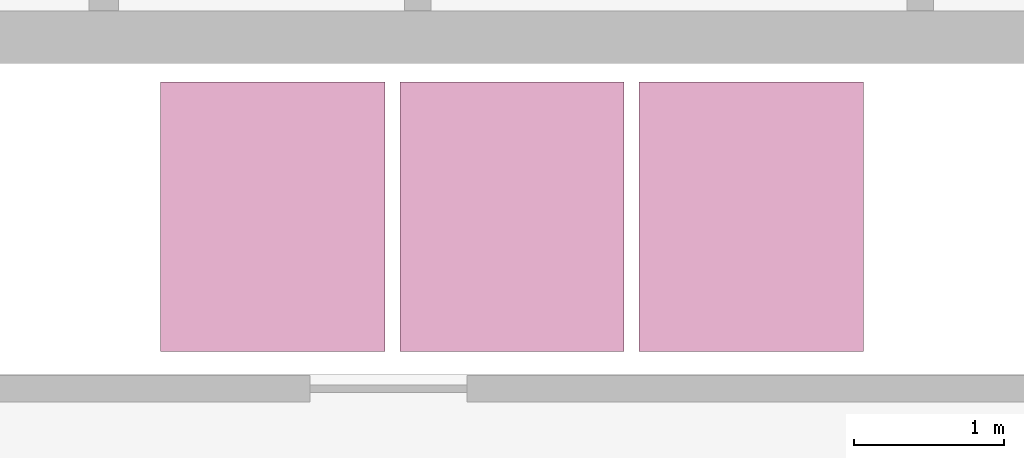
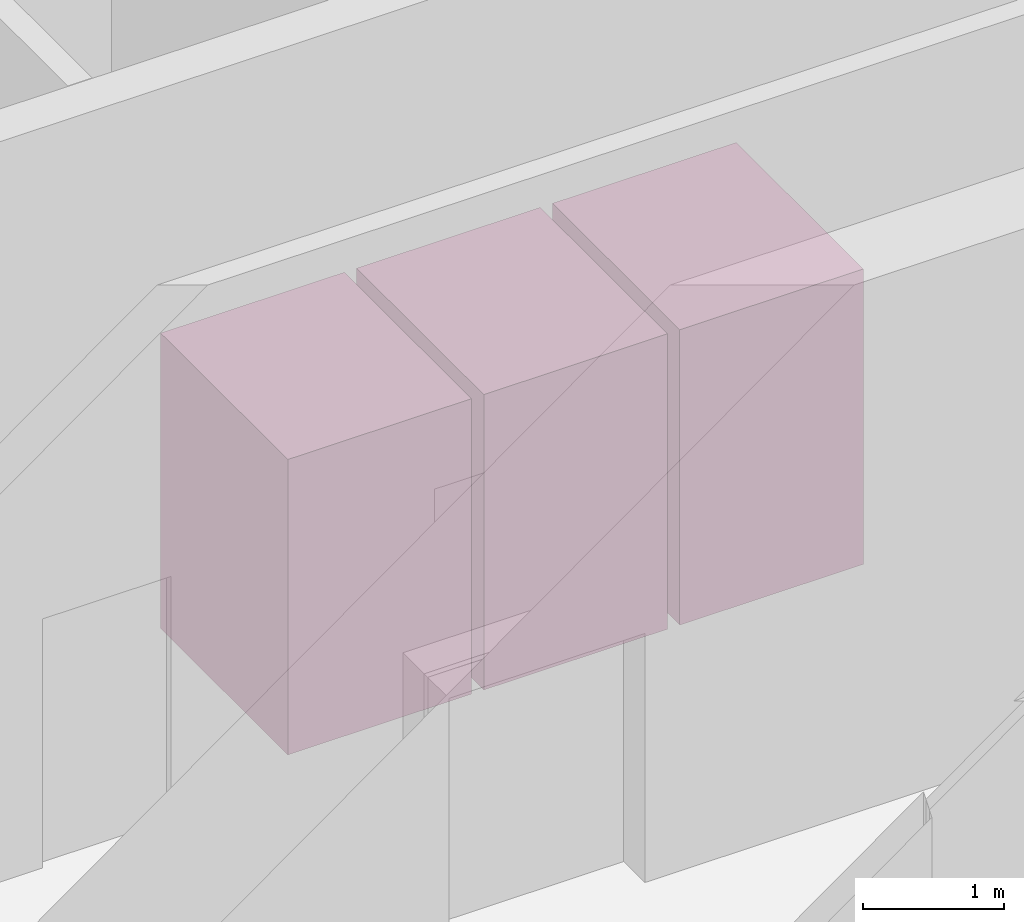
# One storey, part 48 of 48: 3 transport elements.
"""IFC4 building model written with IfcOpenShell, lengths in metres."""

import ifcopenshell
import ifcopenshell.guid

model = None  # the IFC model being written
_history = None  # IfcOwnerHistory: only IFC2X3 demands one
_inside = {}  # id of a spatial element -> (the spatial element, [elements in it])
_under = {}  # id of a project, library or spatial element -> (it, [spatial elements below it])
_declared = {}  # id of a project -> (the project, [libraries it declares])
_typed = {}  # id of a type object -> (the type object, [elements of that type])
_made_of = {}  # id of a material, layer set ... -> (it, [elements and type objects made of it])


def new_model(schema):
    """Start an empty IFC model of exactly this schema.

    Asked for "IFC4X3", IfcOpenShell would pick the latest addendum, in which some entities
    have other attributes; the version numbers below select the first issue.
    IFC2X3 requires an IfcOwnerHistory on every rooted entity: one is made here for all.
    """
    global model, _history
    if schema == "IFC4X3":
        model = ifcopenshell.file(schema_version=(4, 3, 0, 0))
    else:
        model = ifcopenshell.file(schema=schema)
    _inside.clear()
    _under.clear()
    _declared.clear()
    _typed.clear()
    _made_of.clear()
    _history = None
    if model.schema == "IFC2X3":
        org = make("IfcOrganization", Name="unknown")
        user = make(
            "IfcPersonAndOrganization",
            ThePerson=make("IfcPerson", FamilyName="unknown"),
            TheOrganization=org,
        )
        app = make(
            "IfcApplication",
            ApplicationDeveloper=org,
            Version="unknown",
            ApplicationFullName="unknown",
            ApplicationIdentifier="unknown",
        )
        _history = make(
            "IfcOwnerHistory",
            OwningUser=user,
            OwningApplication=app,
            ChangeAction="ADDED",
            CreationDate=0,
        )
    return model


def make(cls, **values):
    """One entity of the class cls with the attributes given. An attribute that is None is left unset."""
    return model.create_entity(
        cls, **{name: value for name, value in values.items() if value is not None}
    )


def rooted(cls, **values):
    """An entity with a GlobalId (a new one), such as an element, a storey or a relation."""
    return make(cls, GlobalId=ifcopenshell.guid.new(), OwnerHistory=_history, **values)


def si_unit(unit_type, name, prefix=None):
    """IfcSIUnit, for example si_unit("LENGTHUNIT", "METRE", prefix="MILLI")."""
    return make("IfcSIUnit", UnitType=unit_type, Prefix=prefix, Name=name)


def assignment(units):
    """IfcUnitAssignment: the units of a project."""
    return None if units is None else make("IfcUnitAssignment", Units=units)


def point(xyz):
    """IfcCartesianPoint."""
    return None if xyz is None else make("IfcCartesianPoint", Coordinates=xyz)


def direction(xyz):
    """IfcDirection."""
    return None if xyz is None else make("IfcDirection", DirectionRatios=xyz)


def frame(location, z_axis=None, x_axis=None):
    """IfcAxis2Placement3D, a coordinate frame: its origin and axes. An axis left out is left unset."""
    return make(
        "IfcAxis2Placement3D",
        Location=point(location),
        Axis=direction(z_axis),
        RefDirection=direction(x_axis),
    )


def frame_2d(location, x_axis=None):
    """IfcAxis2Placement2D, a coordinate frame in the plane: its origin and x axis."""
    return make(
        "IfcAxis2Placement2D", Location=point(location), RefDirection=direction(x_axis)
    )


def origin():
    """The frame at (0, 0, 0) with its axes left unset."""
    return frame((0.0, 0.0, 0.0))


def origin_2d():
    """The frame at (0, 0) in the plane with its x axis left unset."""
    return frame_2d((0.0, 0.0))


def place(relative_to, where):
    """IfcLocalPlacement: puts the frame where relative to a parent placement (None: the world)."""
    return make(
        "IfcLocalPlacement", PlacementRelTo=relative_to, RelativePlacement=where
    )


def context(
    kind, dimensions, precision=None, world=None, true_north=None, identifier=None
):
    """IfcGeometricRepresentationContext, for example the 3D "Model" context."""
    return make(
        "IfcGeometricRepresentationContext",
        ContextIdentifier=identifier,
        ContextType=kind,
        CoordinateSpaceDimension=dimensions,
        Precision=precision,
        WorldCoordinateSystem=world,
        TrueNorth=true_north,
    )


def subcontext(parent, identifier, kind, view, scale=None):
    """IfcGeometricRepresentationSubContext, for example "Body" below "Model"."""
    return make(
        "IfcGeometricRepresentationSubContext",
        ContextIdentifier=identifier,
        ContextType=kind,
        ParentContext=parent,
        TargetScale=scale,
        TargetView=view,
    )


def project(units=None, contexts=None):
    """IfcProject with its units and contexts."""
    return rooted(
        "IfcProject",
        Name="project",
        RepresentationContexts=contexts,
        UnitsInContext=assignment(units),
    )


def spatial(cls, under=None, at=None, **own):
    """A site, building, storey or space (cls), placed at a placement, below another one or the project."""
    s = rooted(cls, ObjectPlacement=at, **own)
    if under is not None:
        _under.setdefault(under.id(), (under, []))[1].append(s)
    return s


def profile(cls, at=None, kind="AREA", **sizes):
    """A parametric profile (cls). Its sizes go by their IFC names, for example OverallWidth=200.0."""
    return make(cls, ProfileType=kind, Position=at, **sizes)


def rectangle(**sizes):
    """IfcRectangleProfileDef."""
    return profile("IfcRectangleProfileDef", **sizes)


def extrude(swept, where, along, depth):
    """IfcExtrudedAreaSolid: the profile swept, set in the frame where, extruded along a direction by depth."""
    return make(
        "IfcExtrudedAreaSolid",
        SweptArea=swept,
        Position=where,
        ExtrudedDirection=direction(along),
        Depth=depth,
    )


def shape(context_of_items, identifier, shape_type, items):
    """IfcShapeRepresentation: the items that make up one representation, for example the "Body"."""
    return make(
        "IfcShapeRepresentation",
        ContextOfItems=context_of_items,
        RepresentationIdentifier=identifier,
        RepresentationType=shape_type,
        Items=items,
    )


def material(Name=None, Category=None):
    """IfcMaterial."""
    return make("IfcMaterial", Name=Name, Category=Category)


def made_of(thing, what):
    """Note that an element or type object is made of a material, layer set ...; save() writes the relation."""
    if what is not None:
        _made_of.setdefault(what.id(), (what, []))[1].append(thing)
    return thing


def type_object(cls, material=None, **own):
    """A type object (cls), such as IfcWallType, which elements share."""
    return made_of(rooted(cls, **own), material)


def element(
    cls,
    number,
    at=None,
    inside=None,
    cuts=None,
    type_object=None,
    material=None,
    context=None,
    identifier="Body",
    shape_type=None,
    held_by="IfcProductDefinitionShape",
    body=None,
    shapes=None,
    **own,
):
    """One element of the class cls, such as IfcWall. Its Tag is "e" and its number.

    at: its placement. inside: the storey or other place that contains it. cuts: it is an
    opening in that element (IfcRelVoidsElement). A single representation is given by context,
    identifier, shape_type and body (its items); several are given by shapes. held_by: the class
    of the entity that holds the representations. save() writes the other relations.
    """
    e = rooted(cls, Tag="e%d" % number, ObjectPlacement=at, **own)
    if body is not None:
        shapes = [shape(context, identifier, shape_type, body)]
    if shapes is not None:
        e.Representation = make(held_by, Representations=shapes)
    if inside is not None:
        _inside.setdefault(inside.id(), (inside, []))[1].append(e)
    if cuts is not None:
        rooted(
            "IfcRelVoidsElement", RelatingBuildingElement=cuts, RelatedOpeningElement=e
        )
    if type_object is not None:
        _typed.setdefault(type_object.id(), (type_object, []))[1].append(e)
    return made_of(e, material)


def aggregate(whole, parts):
    """IfcRelAggregates: a whole, such as a stair, and the parts it consists of."""
    return rooted("IfcRelAggregates", RelatingObject=whole, RelatedObjects=parts)


def save(model, path):
    """Write the relations noted so far, then the file.

    IfcRelAggregates (storeys below a building ...), IfcRelContainedInSpatialStructure (elements
    in a storey), IfcRelDefinesByType, IfcRelAssociatesMaterial and IfcRelDeclares: one each for
    every whole, place, type object, material and project.
    """
    for whole, parts in _under.values():
        aggregate(whole, parts)
    for where, things in _inside.values():
        rooted(
            "IfcRelContainedInSpatialStructure",
            RelatedElements=things,
            RelatingStructure=where,
        )
    for kind, things in _typed.values():
        rooted("IfcRelDefinesByType", RelatedObjects=things, RelatingType=kind)
    for what, things in _made_of.values():
        rooted("IfcRelAssociatesMaterial", RelatedObjects=things, RelatingMaterial=what)
    for by, libraries in _declared.values():
        rooted("IfcRelDeclares", RelatingContext=by, RelatedDefinitions=libraries)
    model.write(path)


model = new_model("IFC4")

# Units and contexts
model_context = context("Model", 3, precision=1e-05, world=origin(), true_north=direction((0.0, 1.0)))
body_context = subcontext(model_context, "Body", "Model", "MODEL_VIEW")
ifc_project = project(units=[si_unit("LENGTHUNIT", "METRE"), si_unit("AREAUNIT", "SQUARE_METRE"), si_unit("VOLUMEUNIT", "CUBIC_METRE"), si_unit("PLANEANGLEUNIT", "RADIAN"), si_unit("MASSUNIT", "GRAM", prefix="KILO")], contexts=[model_context])

# Site, building, storey
site_placement = place(None, origin())
site = spatial("IfcSite", under=ifc_project, at=site_placement, CompositionType="ELEMENT")
building_placement = place(site_placement, origin())
building = spatial("IfcBuilding", under=site, at=building_placement, Name="Caelvoria Tower", CompositionType="ELEMENT")
storey_placement = place(building_placement, frame((0.0, 0.0, 90.39990234375)))
storey = spatial("IfcBuildingStorey", under=building, at=storey_placement, Name="L23", CompositionType="ELEMENT", Elevation=90.39990234375)

# Transport elements
ifc_material = material(Name="Stainless Steel and Bronze Elevator Cab", Category="steel")
transport_element_type = type_object("IfcTransportElementType", Name="Passenger Zone Gearless Lift 1350kg", PredefinedType="ELEVATOR", material=ifc_material)
for number, where, z_axis, x_axis, name in (
    (1, (43.35009765625, 27.199951171875, 0.0), (0.0, 0.0, 1.0), (1.0, 0.0, 0.0), "Elevator PM-01"),
    (2, (44.949951171875, 27.199951171875, 0.0), (0.0, 0.0, 1.0), (1.0, 0.0, 0.0), "Elevator PM-02"),
    (3, (46.550048828125, 27.199951171875, 0.0), (0.0, 0.0, 1.0), (1.0, 0.0, 0.0), "Elevator PM-03"),
):
    element("IfcTransportElement", number, at=place(storey_placement, frame(where, z_axis=z_axis, x_axis=x_axis)), inside=storey, type_object=transport_element_type, Name=name, PredefinedType="ELEVATOR", context=body_context, shape_type="SweptSolid", body=[
        extrude(rectangle(XDim=1.5, YDim=1.800048828125, at=origin_2d()), origin(), (0.0, 0.0, 1.0), 2.550048828125),
    ])

save(model, "model.ifc")
